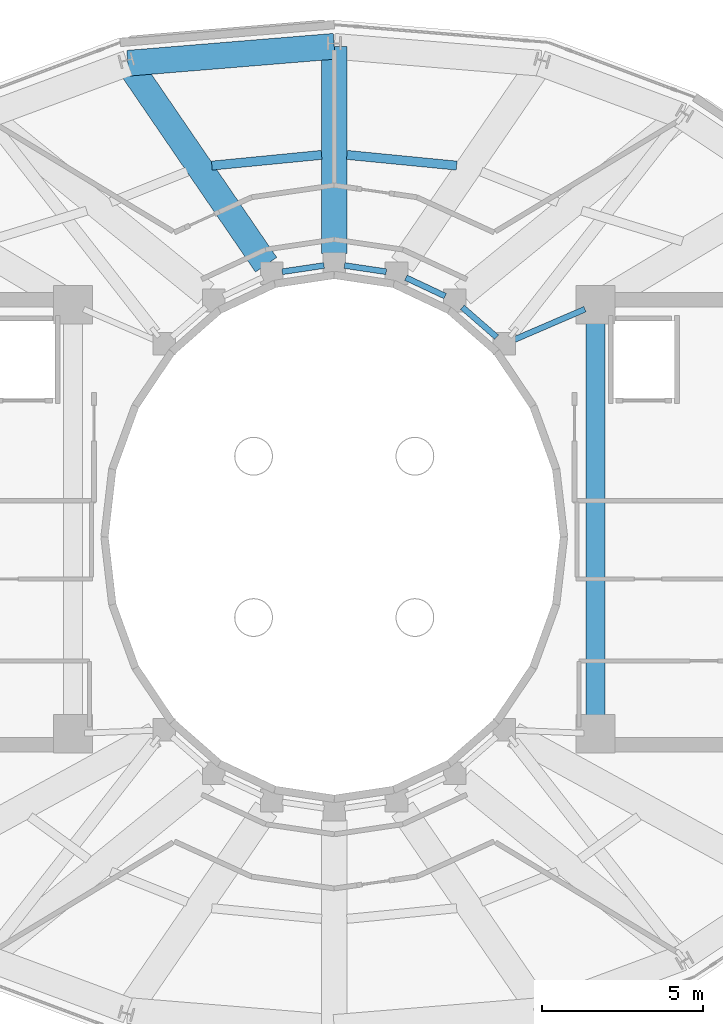
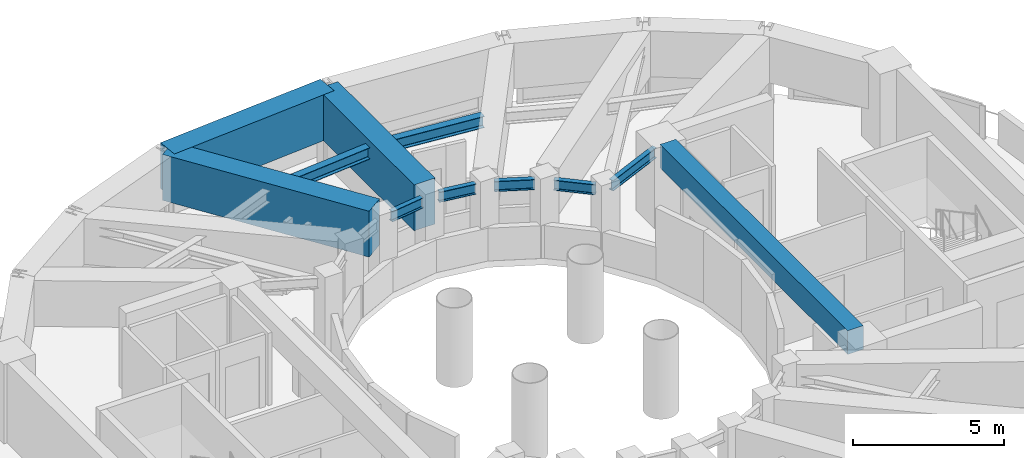
# One storey, part 9 of 18: 11 beams.
"""IFC4 building model written with IfcOpenShell, lengths in metres."""

from ifc_helpers import new_model, si_unit, direction, frame, origin, origin_2d, place, context, subcontext, project, spatial, rectangle, i_section, extrude, material, material_profile, profile_set, type_object, element, save


model = new_model("IFC4")

# Units and contexts
model_context = context("Model", 3, precision=1e-05, world=origin(), true_north=direction((0.0, 1.0)))
body_context = subcontext(model_context, "Body", "Model", "MODEL_VIEW")
ifc_project = project(units=[si_unit("LENGTHUNIT", "METRE"), si_unit("AREAUNIT", "SQUARE_METRE"), si_unit("VOLUMEUNIT", "CUBIC_METRE"), si_unit("PLANEANGLEUNIT", "RADIAN"), si_unit("MASSUNIT", "GRAM", prefix="KILO")], contexts=[model_context])

# Site, building, storey
site_placement = place(None, origin())
site = spatial("IfcSite", under=ifc_project, at=site_placement, CompositionType="ELEMENT")
building_placement = place(site_placement, origin())
building = spatial("IfcBuilding", under=site, at=building_placement, Name="Solvane Sanctuary Tower", CompositionType="ELEMENT")
storey_placement = place(building_placement, frame((0.0, 0.0, 266.800048828125)))
storey = spatial("IfcBuildingStorey", under=building, at=storey_placement, Name="L81", CompositionType="ELEMENT", Elevation=266.800048828125)

# Beams
ifc_material_1 = material(Name="Concrete C70/85", Category="concrete")
ifc_material_profile_1 = material_profile(ifc_material_1, rectangle(XDim=0.60009765625, YDim=0.949951171875, at=origin_2d()), Name="RC600X950")
ifc_profile_set_1 = profile_set([ifc_material_profile_1], Name="Concrete C70/85")
beam_type_1 = type_object("IfcBeamType", Name="Beam B-COUPLE RC600X950", PredefinedType="LINTEL", material=ifc_profile_set_1)
beam_1_placement = place(storey_placement, frame((40.10009765625, 17.35009765625, 2.724853515625), z_axis=(0.0, 1.0, 0.0), x_axis=(-1.0, 0.0, 0.0)))
element("IfcBeam", 1, at=beam_1_placement, inside=storey, type_object=beam_type_1, Name="L81 East Core Coupling Lintel", PredefinedType="LINTEL", context=body_context, shape_type="SweptSolid", body=[
    extrude(rectangle(XDim=0.60009765625, YDim=0.949951171875, at=origin_2d()), origin(), (0.0, 0.0, 1.0), 12.39990234375),
])
ifc_material_2 = material(Name="Steel ASTM A992 Grade 50", Category="steel")
ifc_material_profile_2 = material_profile(ifc_material_2, i_section(OverallWidth=0.180908203125, OverallDepth=0.4169921875, WebThickness=0.010986328125, FlangeThickness=0.018310546875, FilletRadius=0.012939453125, at=origin_2d()), Name="W16X57")
ifc_profile_set_2 = profile_set([ifc_material_profile_2], Name="Steel ASTM A992 Grade 50")
beam_type_2 = type_object("IfcBeamType", Name="Beam B-ROOF-BM W16X57", PredefinedType="BEAM", material=ifc_profile_set_2)
for number, where, z_axis, x_axis, name in (
    (2, (30.3857421875, 31.218994140625, 2.7294921875), (0.989056121481, 0.147539786368, 0.0), (-0.147539786368, 0.989056121481, 0.0), "L81 Inner Light-Well Ring Beam IC05-IC04"),
    (3, (32.31640625, 31.41259765625, 2.7294921875), (0.989056121481, -0.147539786368, 0.0), (0.147539786368, 0.989056121481, 0.0), "L81 Inner Light-Well Ring Beam IC04-IC03"),
):
    element("IfcBeam", number, at=place(storey_placement, frame(where, z_axis=z_axis, x_axis=x_axis)), inside=storey, type_object=beam_type_2, Name=name, PredefinedType="BEAM", context=body_context, shape_type="SweptSolid", body=[
        extrude(i_section(OverallWidth=0.180908203125, OverallDepth=0.4169921875, WebThickness=0.010986328125, FlangeThickness=0.018310546875, FilletRadius=0.012939453125, at=origin_2d()), origin(), (0.0, 0.0, 1.0), 1.312255859375),
    ])
beam_2_placement = place(storey_placement, frame((34.220458984375, 31.03564453125, 2.7294921875), z_axis=(0.905134542189, -0.425125229241, 0.0), x_axis=(0.425125229241, 0.905134542189, 0.0)))
element("IfcBeam", 4, at=beam_2_placement, inside=storey, type_object=beam_type_2, Name="L81 Inner Light-Well Ring Beam IC03-IC02", PredefinedType="BEAM", context=body_context, shape_type="SweptSolid", body=[
    extrude(i_section(OverallWidth=0.180908203125, OverallDepth=0.4169921875, WebThickness=0.010986328125, FlangeThickness=0.018310546875, FilletRadius=0.012939453125, at=origin_2d()), origin(), (0.0, 0.0, 1.0), 1.347900390625),
])
beam_3_placement = place(storey_placement, frame((35.971435546875, 30.116455078125, 2.7294921875), z_axis=(0.754388985763, -0.656427648839, 0.0), x_axis=(0.656427648839, 0.754388985763, 0.0)))
element("IfcBeam", 5, at=beam_3_placement, inside=storey, type_object=beam_type_2, Name="L81 Inner Light-Well Ring Beam IC02-IC01", PredefinedType="BEAM", context=body_context, shape_type="SweptSolid", body=[
    extrude(i_section(OverallWidth=0.180908203125, OverallDepth=0.4169921875, WebThickness=0.010986328125, FlangeThickness=0.018310546875, FilletRadius=0.012939453125, at=origin_2d()), origin(), (0.0, 0.0, 1.0), 1.408203125),
])
beam_4_placement = place(storey_placement, frame((37.56884765625, 29.10888671875, 2.7294921875), z_axis=(0.918283854026, 0.395922673554, 0.0), x_axis=(-0.395922673554, 0.918283854026, 0.0)))
element("IfcBeam", 6, at=beam_4_placement, inside=storey, type_object=beam_type_2, Name="L81 Inner Light-Well Ring Beam IC01-CE4", PredefinedType="BEAM", context=body_context, shape_type="SweptSolid", body=[
    extrude(i_section(OverallWidth=0.180908203125, OverallDepth=0.4169921875, WebThickness=0.010986328125, FlangeThickness=0.018310546875, FilletRadius=0.012939453125, at=origin_2d()), origin(), (0.0, 0.0, 1.0), 2.396240234375),
])
ifc_material_profile_3 = material_profile(ifc_material_2, i_section(OverallWidth=0.280029296875, OverallDepth=0.462890625, WebThickness=0.0107421875, FlangeThickness=0.017333984375, FilletRadius=0.013916015625, at=origin_2d()), Name="W18X76")
ifc_profile_set_3 = profile_set([ifc_material_profile_3], Name="Steel ASTM A992 Grade 50")
beam_type_3 = type_object("IfcBeamType", Name="Beam B-SEC-JOIST W18X76", PredefinedType="JOIST", material=ifc_profile_set_3)
for number, where, z_axis, x_axis, name in (
    (7, (28.205810546875, 34.5087890625, 2.70654296875), (0.995268569669, 0.097162102846, 0.0), (-0.097162102846, 0.995268569669, 0.0), "L81 Secondary Circumferential Joist 05-04"),
    (8, (32.39306640625, 34.8408203125, 2.70654296875), (0.995268569669, -0.097162102846, 0.0), (0.097162102846, 0.995268569669, 0.0), "L81 Secondary Circumferential Joist 04-03"),
):
    element("IfcBeam", number, at=place(storey_placement, frame(where, z_axis=z_axis, x_axis=x_axis)), inside=storey, type_object=beam_type_3, Name=name, PredefinedType="JOIST", context=body_context, shape_type="SweptSolid", body=[
        extrude(i_section(OverallWidth=0.280029296875, OverallDepth=0.462890625, WebThickness=0.0107421875, FlangeThickness=0.017333984375, FilletRadius=0.013916015625, at=origin_2d()), origin(), (0.0, 0.0, 1.0), 3.417236328125),
    ])
ifc_material_profile_4 = material_profile(ifc_material_1, rectangle(XDim=0.800048828125, YDim=1.85009765625, at=origin_2d()), Name="RC800X1850")
ifc_profile_set_4 = profile_set([ifc_material_profile_4], Name="Concrete C70/85")
beam_type_4 = type_object("IfcBeamType", Name="Beam B-XFER-BLK RC800X1850", PredefinedType="BEAM", material=ifc_profile_set_4)
beam_5_placement = place(storey_placement, frame((32.0, 31.780029296875, 2.27490234375), z_axis=(0.0, 1.0, 0.0), x_axis=(-1.0, 0.0, 0.0)))
element("IfcBeam", 9, at=beam_5_placement, inside=storey, type_object=beam_type_4, Name="L81 Block-Shift Radial Transfer Girder 04A", PredefinedType="BEAM", context=body_context, shape_type="SweptSolid", body=[
    extrude(rectangle(XDim=0.800048828125, YDim=1.85009765625, at=origin_2d()), origin(), (0.0, 0.0, 1.0), 6.41796875),
])
beam_6_placement = place(storey_placement, frame((29.888427734375, 31.435791015625, 2.27490234375), z_axis=(-0.56454754389, 0.825400551664, 0.0), x_axis=(-0.825400551664, -0.56454754389, 0.0)))
element("IfcBeam", 10, at=beam_6_placement, inside=storey, type_object=beam_type_4, Name="L81 Block-Shift Radial Transfer Girder 05A", PredefinedType="BEAM", context=body_context, shape_type="SweptSolid", body=[
    extrude(rectangle(XDim=0.800048828125, YDim=1.85009765625, at=origin_2d()), origin(), (0.0, 0.0, 1.0), 7.573486328125),
])
beam_7_placement = place(storey_placement, frame((25.601318359375, 37.681640625, 2.27490234375), z_axis=(0.996645989567, 0.08183380402, 0.0), x_axis=(-0.08183380402, 0.996645989567, 0.0)))
element("IfcBeam", 11, at=beam_7_placement, inside=storey, type_object=beam_type_4, Name="L81 Perimeter Step Transfer Ring NTC05-NTC04", PredefinedType="BEAM", context=body_context, shape_type="SweptSolid", body=[
    extrude(rectangle(XDim=0.800048828125, YDim=1.85009765625, at=origin_2d()), origin(), (0.0, 0.0, 1.0), 6.420166015625),
])

save(model, "model.ifc")
